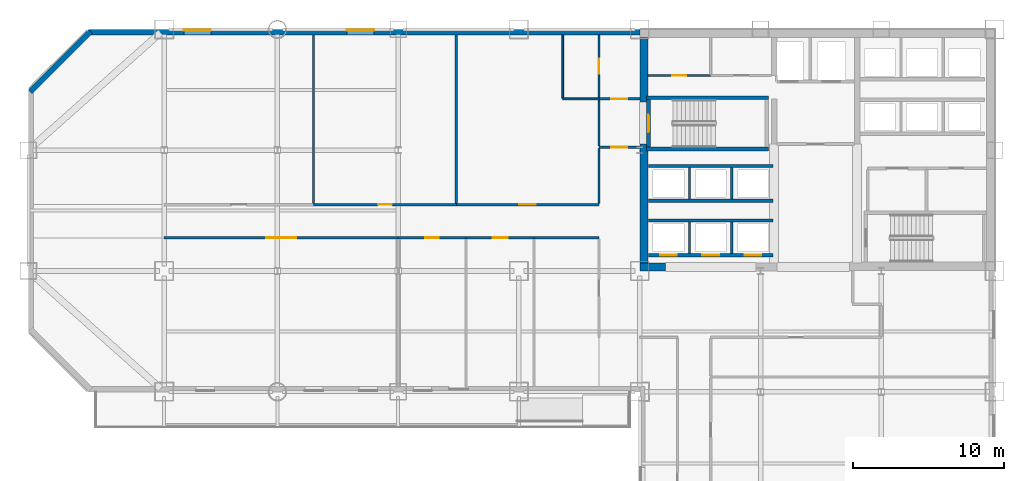
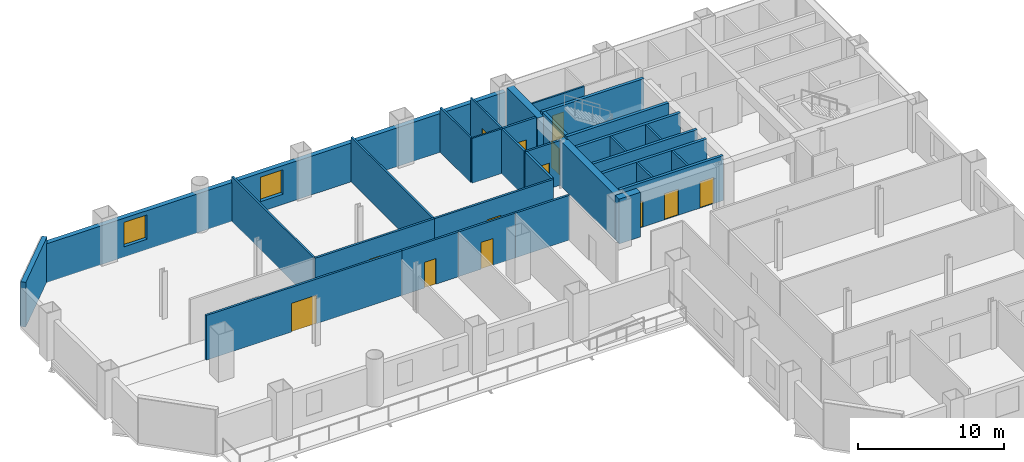
# One storey, part 6 of 9: 32 walls, 13 doors, 2 windows, 15 openings.
"""IFC4 building model written with IfcOpenShell, lengths in metres."""

from ifc_helpers import new_model, si_unit, direction, frame, frame_2d, origin, place, context, subcontext, project, spatial, rectangle, extrude, material, layer, layer_set, type_object, element, fill, save


model = new_model("IFC4")

# Units and contexts
model_context = context("Model", 3, precision=1e-05, world=origin(), true_north=direction((0.0, 1.0)))
body_context = subcontext(model_context, "Body", "Model", "MODEL_VIEW")
ifc_project = project(units=[si_unit("LENGTHUNIT", "METRE"), si_unit("AREAUNIT", "SQUARE_METRE"), si_unit("VOLUMEUNIT", "CUBIC_METRE"), si_unit("PLANEANGLEUNIT", "RADIAN"), si_unit("MASSUNIT", "GRAM", prefix="KILO")], contexts=[model_context])

# Site, building, storey
site_placement = place(None, origin())
site = spatial("IfcSite", under=ifc_project, at=site_placement, CompositionType="ELEMENT")
building_placement = place(site_placement, origin())
building = spatial("IfcBuilding", under=site, at=building_placement, Name="Qianrong Seaharbour Tower", CompositionType="ELEMENT")
storey_placement = place(building_placement, frame((0.0, 0.0, 100.199951171875)))
storey = spatial("IfcBuildingStorey", under=building, at=storey_placement, Name="L24", CompositionType="ELEMENT", Elevation=100.199951171875)

# Walls
ifc_material_1 = material(Name="Concrete C70/85", Category="concrete")
ifc_layer_1 = layer(ifc_material_1, 0.5400390625)
ifc_layer_set_1 = layer_set([ifc_layer_1], Name="Concrete C70/85")
wall_type_1 = type_object("IfcWallType", Name="WALL-CORE-540", PredefinedType="SHEAR", material=ifc_layer_set_1)
wall_1_placement = place(storey_placement, frame((40.77001953125, 36.5400390625, 0.0), z_axis=(0.0, 0.0, 1.0), x_axis=(0.0, 1.0, 0.0)))
element("IfcWall", 1, at=wall_1_placement, inside=storey, type_object=wall_type_1, Name="L24 West Core Shear Wall South", PredefinedType="SHEAR", context=body_context, shape_type="SweptSolid", body=[
    extrude(rectangle(XDim=7.85986328125, YDim=0.5400390625, at=frame_2d((3.929931640625, 0.0))), origin(), (0.0, 0.0, 1.0), 3.75),
])
wall_2_placement = place(storey_placement, frame((40.77001953125, 47.199951171875, 0.0), z_axis=(0.0, 0.0, 1.0), x_axis=(0.0, 1.0, 0.0)))
element("IfcWall", 2, at=wall_2_placement, inside=storey, type_object=wall_type_1, Name="L24 West Core Shear Wall North", PredefinedType="SHEAR", context=body_context, shape_type="SweptSolid", body=[
    extrude(rectangle(XDim=4.260009765625, YDim=0.5400390625, at=frame_2d((2.1298828125, 0.0))), origin(), (0.0, 0.0, 1.0), 3.75),
])
wall_3_placement = place(storey_placement, frame((40.5, 36.27001953125, 0.0), z_axis=(0.0, 0.0, 1.0), x_axis=(1.0, 0.0, 0.0)))
element("IfcWall", 3, at=wall_3_placement, inside=storey, type_object=wall_type_1, Name="L24 South Core Shear Wall S1", PredefinedType="SHEAR", context=body_context, shape_type="SweptSolid", body=[
    extrude(rectangle(XDim=1.699951171875, YDim=0.5400390625, at=frame_2d((0.85009765625, 0.0))), origin(), (0.0, 0.0, 1.0), 3.75),
])

# Wall, opening, door
ifc_material_2 = material(Name="Fire-rated acoustic gypsum board partition")
ifc_layer_2 = layer(ifc_material_2, 0.1650390625)
ifc_layer_set_2 = layer_set([ifc_layer_2], Name="Fire-rated acoustic gypsum board partition")
wall_type_2 = type_object("IfcWallType", Name="WALL-CORR-PART-165", PredefinedType="PARTITIONING", material=ifc_layer_set_2)
wall_4_placement = place(storey_placement, frame((37.800048828125, 47.39990234375, 0.0), z_axis=(0.0, 0.0, 1.0), x_axis=(1.0, 0.0, 0.0)))
wall_4 = element("IfcWall", 4, at=wall_4_placement, inside=storey, type_object=wall_type_2, Name="L24 Interior Partition Wall 001", PredefinedType="PARTITIONING", context=body_context, shape_type="SweptSolid", body=[
    extrude(rectangle(XDim=2.699951171875, YDim=0.1650390625, at=frame_2d((1.35009765625, 0.0))), origin(), (0.0, 0.0, 1.0), 3.75),
])
opening_1_placement = place(wall_4_placement, frame((0.824951171875, 0.0, 0.0)))
opening_1 = element("IfcOpeningElement", 5, at=opening_1_placement, cuts=wall_4, Name="Opening DC-01", PredefinedType="OPENING", context=body_context, shape_type="SweptSolid", body=[
    extrude(rectangle(XDim=1.050048828125, YDim=2.14990234375, at=frame_2d((0.52490234375, 1.074951171875))), frame((0.0, 0.092529296875, 0.0), z_axis=(0.0, -1.0, 0.0), x_axis=(1.0, 0.0, 0.0)), (0.0, 0.0, 1.0), 0.18505859375),
])
ifc_material_3 = material(Name="Acoustic timber and galvanized steel fire door assembly", Category="steel")
door_type_1 = type_object("IfcDoorType", Name="DOOR-CORR-FD60-1050x2150", OperationType="NOTDEFINED", PredefinedType="DOOR", material=ifc_material_3)
door_1_placement = place(opening_1_placement, origin())
door_1 = element("IfcDoor", 6, at=door_1_placement, inside=storey, type_object=door_type_1, Name="L24 Smokeproof Stair Vestibule ST-1 Door", OperationType="SINGLE_SWING_RIGHT", OverallHeight=2.14990234375, OverallWidth=1.050048828125, PredefinedType="DOOR", context=body_context, shape_type="SweptSolid", body=[
    extrude(rectangle(XDim=1.050048828125, YDim=2.14990234375, at=frame_2d((0.52490234375, 1.074951171875))), frame((0.0, 0.02490234375, 0.0), z_axis=(0.0, -1.0, 0.0), x_axis=(1.0, 0.0, 0.0)), (0.0, 0.0, 1.0), 0.050048828125),
])
fill(opening_1, door_1)

wall_5_placement = place(storey_placement, frame((40.5, 44.199951171875, 0.0), z_axis=(0.0, 0.0, 1.0), x_axis=(-1.0, 0.0, 0.0)))
wall_5 = element("IfcWall", 7, at=wall_5_placement, inside=storey, type_object=wall_type_2, Name="L24 Interior Partition Wall 002", PredefinedType="PARTITIONING", context=body_context, shape_type="SweptSolid", body=[
    extrude(rectangle(XDim=2.699951171875, YDim=0.1650390625, at=frame_2d((1.35009765625, 0.0))), origin(), (0.0, 0.0, 1.0), 3.75),
])
opening_2_placement = place(wall_5_placement, frame((0.824951171875, 0.0, 0.0)))
opening_2 = element("IfcOpeningElement", 8, at=opening_2_placement, cuts=wall_5, Name="Opening DC-01", PredefinedType="OPENING", context=body_context, shape_type="SweptSolid", body=[
    extrude(rectangle(XDim=1.050048828125, YDim=2.14990234375, at=frame_2d((0.52490234375, 1.074951171875))), frame((0.0, 0.092529296875, 0.0), z_axis=(0.0, -1.0, 0.0), x_axis=(1.0, 0.0, 0.0)), (0.0, 0.0, 1.0), 0.18505859375),
])
door_2_placement = place(opening_2_placement, origin())
door_2 = element("IfcDoor", 9, at=door_2_placement, inside=storey, type_object=door_type_1, Name="L24 Smokeproof Stair Vestibule ST-1 Door", OperationType="SINGLE_SWING_LEFT", OverallHeight=2.14990234375, OverallWidth=1.050048828125, PredefinedType="DOOR", context=body_context, shape_type="SweptSolid", body=[
    extrude(rectangle(XDim=1.050048828125, YDim=2.14990234375, at=frame_2d((0.52490234375, 1.074951171875))), frame((0.0, 0.02490234375, 0.0), z_axis=(0.0, -1.0, 0.0), x_axis=(1.0, 0.0, 0.0)), (0.0, 0.0, 1.0), 0.050048828125),
])
fill(opening_2, door_2)

# Wall
wall_6_placement = place(storey_placement, frame((37.800048828125, 44.2744140625, 0.0), z_axis=(0.0, 0.0, 1.0), x_axis=(0.0, 1.0, 0.0)))
element("IfcWall", 10, at=wall_6_placement, inside=storey, type_object=wall_type_2, Name="L24 Interior Partition Wall 003", PredefinedType="PARTITIONING", context=body_context, shape_type="SweptSolid", body=[
    extrude(rectangle(XDim=3.051025390625, YDim=0.1650390625, at=frame_2d((1.525390625, 0.0))), origin(), (0.0, 0.0, 1.0), 3.75),
])

# Wall, opening, door
wall_7_placement = place(storey_placement, frame((18.89990234375, 40.39990234375, 0.0), z_axis=(0.0, 0.0, 1.0), x_axis=(1.0, 0.0, 0.0)))
wall_7 = element("IfcWall", 11, at=wall_7_placement, inside=storey, type_object=wall_type_2, Name="L24 Interior Partition Wall 016", PredefinedType="PARTITIONING", context=body_context, shape_type="SweptSolid", body=[
    extrude(rectangle(XDim=9.4501953125, YDim=0.1650390625, at=frame_2d((4.72509765625, 0.0))), origin(), (0.0, 0.0, 1.0), 3.75),
])
opening_3_placement = place(wall_7_placement, frame((4.27490234375, 0.0, 0.0)))
opening_3 = element("IfcOpeningElement", 12, at=opening_3_placement, cuts=wall_7, Name="Opening DS-01", PredefinedType="OPENING", context=body_context, shape_type="SweptSolid", body=[
    extrude(rectangle(XDim=0.89990234375, YDim=2.14990234375, at=frame_2d((0.449951171875, 1.074951171875))), frame((0.0, 0.092529296875, 0.0), z_axis=(0.0, -1.0, 0.0), x_axis=(1.0, 0.0, 0.0)), (0.0, 0.0, 1.0), 0.18505859375),
])
door_type_2 = type_object("IfcDoorType", Name="DOOR-STORE-900x2150", OperationType="NOTDEFINED", PredefinedType="DOOR", material=ifc_material_3)
door_3_placement = place(opening_3_placement, origin())
door_3 = element("IfcDoor", 13, at=door_3_placement, inside=storey, type_object=door_type_2, Name="L24 Corporate Archive Room 1 Door", OperationType="SINGLE_SWING_RIGHT", OverallHeight=2.14990234375, OverallWidth=0.89990234375, PredefinedType="DOOR", context=body_context, shape_type="SweptSolid", body=[
    extrude(rectangle(XDim=0.89990234375, YDim=2.14990234375, at=frame_2d((0.449951171875, 1.074951171875))), frame((0.0, 0.02490234375, 0.0), z_axis=(0.0, -1.0, 0.0), x_axis=(1.0, 0.0, 0.0)), (0.0, 0.0, 1.0), 0.050048828125),
])
fill(opening_3, door_3)

wall_8_placement = place(storey_placement, frame((28.35009765625, 40.39990234375, 0.0), z_axis=(0.0, 0.0, 1.0), x_axis=(1.0, 0.0, 0.0)))
wall_8 = element("IfcWall", 14, at=wall_8_placement, inside=storey, type_object=wall_type_2, Name="L24 Interior Partition Wall 017", PredefinedType="PARTITIONING", context=body_context, shape_type="SweptSolid", body=[
    extrude(rectangle(XDim=9.449951171875, YDim=0.1650390625, at=frame_2d((4.72509765625, 0.0))), origin(), (0.0, 0.0, 1.0), 3.75),
])
opening_4_placement = place(wall_8_placement, frame((4.175048828125, 0.0, 0.0)))
opening_4 = element("IfcOpeningElement", 15, at=opening_4_placement, cuts=wall_8, Name="Opening DM-01", PredefinedType="OPENING", context=body_context, shape_type="SweptSolid", body=[
    extrude(rectangle(XDim=1.10009765625, YDim=2.199951171875, at=frame_2d((0.550048828125, 1.10009765625))), frame((0.0, 0.092529296875, 0.0), z_axis=(0.0, -1.0, 0.0), x_axis=(1.0, 0.0, 0.0)), (0.0, 0.0, 1.0), 0.18505859375),
])
door_type_3 = type_object("IfcDoorType", Name="DOOR-MEET-1100x2200", OperationType="NOTDEFINED", PredefinedType="DOOR", material=ifc_material_3)
door_4_placement = place(opening_4_placement, origin())
door_4 = element("IfcDoor", 16, at=door_4_placement, inside=storey, type_object=door_type_3, Name="L24 Boardroom 2 Door", OperationType="SINGLE_SWING_LEFT", OverallHeight=2.199951171875, OverallWidth=1.10009765625, PredefinedType="DOOR", context=body_context, shape_type="SweptSolid", body=[
    extrude(rectangle(XDim=1.10009765625, YDim=2.199951171875, at=frame_2d((0.550048828125, 1.10009765625))), frame((0.0, 0.02490234375, 0.0), z_axis=(0.0, -1.0, 0.0), x_axis=(1.0, 0.0, 0.0)), (0.0, 0.0, 1.0), 0.050048828125),
])
fill(opening_4, door_4)

wall_9_placement = place(storey_placement, frame((24.5, 38.199951171875, 0.0), z_axis=(0.0, 0.0, 1.0), x_axis=(-1.0, 0.0, 0.0)))
wall_9 = element("IfcWall", 17, at=wall_9_placement, inside=storey, type_object=wall_type_2, Name="L24 Interior Partition Wall 018", PredefinedType="PARTITIONING", context=body_context, shape_type="SweptSolid", body=[
    extrude(rectangle(XDim=15.5, YDim=0.1650390625, at=frame_2d((7.75, 0.0))), origin(), (0.0, 0.0, 1.0), 3.75),
])
opening_5_placement = place(wall_9_placement, frame((6.75, 0.0, 0.0)))
opening_5 = element("IfcOpeningElement", 18, at=opening_5_placement, cuts=wall_9, Name="Opening DA-01", PredefinedType="OPENING", context=body_context, shape_type="SweptSolid", body=[
    extrude(rectangle(XDim=2.0, YDim=2.39990234375, at=frame_2d((1.0, 1.199951171875))), frame((0.0, 0.092529296875, 0.0), z_axis=(0.0, -1.0, 0.0), x_axis=(1.0, 0.0, 0.0)), (0.0, 0.0, 1.0), 0.18505859375),
])
door_type_4 = type_object("IfcDoorType", Name="DOOR-AUD-PAIR-2000x2400", OperationType="DOUBLE_DOOR_SINGLE_SWING", PredefinedType="DOOR", material=ifc_material_3)
door_5_placement = place(opening_5_placement, origin())
door_5 = element("IfcDoor", 19, at=door_5_placement, inside=storey, type_object=door_type_4, Name="L24 Maritime Tribunal Hearing Hall Door", OperationType="DOUBLE_DOOR_SINGLE_SWING", OverallHeight=2.39990234375, OverallWidth=2.0, PredefinedType="DOOR", context=body_context, shape_type="SweptSolid", body=[
    extrude(rectangle(XDim=2.0, YDim=2.39990234375, at=frame_2d((1.0, 1.199951171875))), frame((0.0, 0.02490234375, 0.0), z_axis=(0.0, -1.0, 0.0), x_axis=(1.0, 0.0, 0.0)), (0.0, 0.0, 1.0), 0.050048828125),
])
fill(opening_5, door_5)

wall_10_placement = place(storey_placement, frame((29.0, 38.199951171875, 0.0), z_axis=(0.0, 0.0, 1.0), x_axis=(-1.0, 0.0, 0.0)))
wall_10 = element("IfcWall", 20, at=wall_10_placement, inside=storey, type_object=wall_type_2, Name="L24 Interior Partition Wall 019", PredefinedType="PARTITIONING", context=body_context, shape_type="SweptSolid", body=[
    extrude(rectangle(XDim=4.5, YDim=0.1650390625, at=frame_2d((2.25, 0.0))), origin(), (0.0, 0.0, 1.0), 3.75),
])
opening_6_placement = place(wall_10_placement, frame((1.800048828125, 0.0, 0.0)))
opening_6 = element("IfcOpeningElement", 21, at=opening_6_placement, cuts=wall_10, Name="Opening DS-01", PredefinedType="OPENING", context=body_context, shape_type="SweptSolid", body=[
    extrude(rectangle(XDim=0.89990234375, YDim=2.14990234375, at=frame_2d((0.449951171875, 1.074951171875))), frame((0.0, 0.092529296875, 0.0), z_axis=(0.0, -1.0, 0.0), x_axis=(1.0, 0.0, 0.0)), (0.0, 0.0, 1.0), 0.18505859375),
])
door_6_placement = place(opening_6_placement, origin())
door_6 = element("IfcDoor", 22, at=door_6_placement, inside=storey, type_object=door_type_2, Name="L24 Evidence Vault Store 1 Door", OperationType="SINGLE_SWING_RIGHT", OverallHeight=2.14990234375, OverallWidth=0.89990234375, PredefinedType="DOOR", context=body_context, shape_type="SweptSolid", body=[
    extrude(rectangle(XDim=0.89990234375, YDim=2.14990234375, at=frame_2d((0.449951171875, 1.074951171875))), frame((0.0, 0.02490234375, 0.0), z_axis=(0.0, -1.0, 0.0), x_axis=(1.0, 0.0, 0.0)), (0.0, 0.0, 1.0), 0.050048828125),
])
fill(opening_6, door_6)

wall_11_placement = place(storey_placement, frame((33.5, 38.199951171875, 0.0), z_axis=(0.0, 0.0, 1.0), x_axis=(-1.0, 0.0, 0.0)))
wall_11 = element("IfcWall", 23, at=wall_11_placement, inside=storey, type_object=wall_type_2, Name="L24 Interior Partition Wall 020", PredefinedType="PARTITIONING", context=body_context, shape_type="SweptSolid", body=[
    extrude(rectangle(XDim=4.5, YDim=0.1650390625, at=frame_2d((2.25, 0.0))), origin(), (0.0, 0.0, 1.0), 3.75),
])
opening_7_placement = place(wall_11_placement, frame((1.760009765625, 0.0, 0.0)))
opening_7 = element("IfcOpeningElement", 24, at=opening_7_placement, cuts=wall_11, Name="Opening DE-01", PredefinedType="OPENING", context=body_context, shape_type="SweptSolid", body=[
    extrude(rectangle(XDim=0.97998046875, YDim=2.25, at=frame_2d((0.489990234375, 1.125))), frame((0.0, 0.092529296875, 0.0), z_axis=(0.0, -1.0, 0.0), x_axis=(1.0, 0.0, 0.0)), (0.0, 0.0, 1.0), 0.18505859375),
])
door_type_5 = type_object("IfcDoorType", Name="DOOR-EXEC-980x2250", OperationType="NOTDEFINED", PredefinedType="DOOR", material=ifc_material_3)
door_7_placement = place(opening_7_placement, origin())
door_7 = element("IfcDoor", 25, at=door_7_placement, inside=storey, type_object=door_type_5, Name="L24 Partner Chambers Office 2 Door", OperationType="SINGLE_SWING_LEFT", OverallHeight=2.25, OverallWidth=0.97998046875, PredefinedType="DOOR", context=body_context, shape_type="SweptSolid", body=[
    extrude(rectangle(XDim=0.97998046875, YDim=2.25, at=frame_2d((0.489990234375, 1.125))), frame((0.0, 0.02490234375, 0.0), z_axis=(0.0, -1.0, 0.0), x_axis=(1.0, 0.0, 0.0)), (0.0, 0.0, 1.0), 0.050048828125),
])
fill(opening_7, door_7)

# Walls
wall_12_placement = place(storey_placement, frame((37.800048828125, 38.199951171875, 0.0), z_axis=(0.0, 0.0, 1.0), x_axis=(-1.0, 0.0, 0.0)))
element("IfcWall", 26, at=wall_12_placement, inside=storey, type_object=wall_type_2, Name="L24 Interior Partition Wall 021", PredefinedType="PARTITIONING", context=body_context, shape_type="SweptSolid", body=[
    extrude(rectangle(XDim=4.300048828125, YDim=0.1650390625, at=frame_2d((2.14990234375, 0.0))), origin(), (0.0, 0.0, 1.0), 3.75),
])
wall_13_placement = place(storey_placement, frame((37.800048828125, 40.474609375, 0.0), z_axis=(0.0, 0.0, 1.0), x_axis=(0.0, 1.0, 0.0)))
element("IfcWall", 27, at=wall_13_placement, inside=storey, type_object=wall_type_2, Name="L24 Interior Partition Wall 022", PredefinedType="PARTITIONING", context=body_context, shape_type="SweptSolid", body=[
    extrude(rectangle(XDim=3.65087890625, YDim=0.1650390625, at=frame_2d((1.825439453125, 0.0))), origin(), (0.0, 0.0, 1.0), 3.75),
])
ifc_material_4 = material(Name="Unitised red brick on Precast concrete C45/55", Category="masonry")
ifc_layer_3 = layer(ifc_material_4, 0.360107421875)
ifc_layer_set_3 = layer_set([ifc_layer_3], Name="Unitised red brick on Precast concrete C45/55")
wall_type_3 = type_object("IfcWallType", Name="WALL-EXT-BRICK-RED-360", PredefinedType="SOLIDWALL", material=ifc_layer_set_3)
wall_14_placement = place(storey_placement, frame((0.127197265625, 47.872802734375, 0.0), z_axis=(0.0, 0.0, 1.0), x_axis=(0.707106781187, 0.707106781187, 0.0)))
element("IfcWall", 28, at=wall_14_placement, inside=storey, type_object=wall_type_3, Name="L24 Exterior Masonry Facade Wall E04", PredefinedType="SOLIDWALL", context=body_context, shape_type="SweptSolid", body=[
    extrude(rectangle(XDim=5.65673828125, YDim=0.360107421875, at=frame_2d((2.828369140625, 0.0))), origin(), (0.0, 0.0, 1.0), 3.75),
])

# Wall, openings, windows
wall_15_placement = place(storey_placement, frame((4.0, 51.820068359375, 0.0), z_axis=(0.0, 0.0, 1.0), x_axis=(1.0, 0.0, 0.0)))
wall_15 = element("IfcWall", 29, at=wall_15_placement, inside=storey, type_object=wall_type_3, Name="L24 Exterior Masonry Facade Wall NORTH_WING", PredefinedType="SOLIDWALL", context=body_context, shape_type="SweptSolid", body=[
    extrude(rectangle(XDim=36.52001953125, YDim=0.360107421875, at=frame_2d((18.260009765625, 0.0))), origin(), (0.0, 0.0, 1.0), 3.25),
])
opening_8_placement = place(wall_15_placement, frame((6.300048828125, 0.0, 0.85009765625)))
opening_8 = element("IfcOpeningElement", 30, at=opening_8_placement, cuts=wall_15, Name="Opening WN-05", PredefinedType="OPENING", context=body_context, shape_type="SweptSolid", body=[
    extrude(rectangle(XDim=1.800048828125, YDim=2.050048828125, at=frame_2d((0.89990234375, 1.02490234375))), frame((0.0, 0.18994140625, 0.0), z_axis=(0.0, -1.0, 0.0), x_axis=(1.0, 0.0, 0.0)), (0.0, 0.0, 1.0), 0.380126953125),
])
opening_9_placement = place(wall_15_placement, frame((17.10009765625, 0.0, 0.85009765625)))
opening_9 = element("IfcOpeningElement", 31, at=opening_9_placement, cuts=wall_15, Name="Opening WN-05", PredefinedType="OPENING", context=body_context, shape_type="SweptSolid", body=[
    extrude(rectangle(XDim=1.800048828125, YDim=2.050048828125, at=frame_2d((0.89990234375, 1.02490234375))), frame((0.0, 0.18994140625, 0.0), z_axis=(0.0, -1.0, 0.0), x_axis=(1.0, 0.0, 0.0)), (0.0, 0.0, 1.0), 0.380126953125),
])
ifc_material_5 = material(Name="Insulated low-e double glazing in thermally broken aluminium 6063-T6 frame", Category="aluminium")
window_type = type_object("IfcWindowType", Name="WIN-PUNCH-1800x2050", PartitioningType="TRIPLE_PANEL_VERTICAL", PredefinedType="WINDOW", material=ifc_material_5)
window_1_placement = place(opening_8_placement, origin())
window_1 = element("IfcWindow", 32, at=window_1_placement, inside=storey, type_object=window_type, Name="L24 Deep-Set Punched Window 05.02", OverallHeight=2.050048828125, OverallWidth=1.800048828125, PartitioningType="TRIPLE_PANEL_VERTICAL", PredefinedType="WINDOW", context=body_context, shape_type="SweptSolid", body=[
    extrude(rectangle(XDim=1.800048828125, YDim=2.050048828125, at=frame_2d((0.89990234375, 1.02490234375))), frame((0.0, 0.150146484375, 0.0), z_axis=(0.0, -1.0, 0.0), x_axis=(1.0, 0.0, 0.0)), (0.0, 0.0, 1.0), 0.06005859375),
])
fill(opening_8, window_1)
window_2_placement = place(opening_9_placement, origin())
window_2 = element("IfcWindow", 33, at=window_2_placement, inside=storey, type_object=window_type, Name="L24 Deep-Set Punched Window 05.05", OverallHeight=2.050048828125, OverallWidth=1.800048828125, PartitioningType="TRIPLE_PANEL_VERTICAL", PredefinedType="WINDOW", context=body_context, shape_type="SweptSolid", body=[
    extrude(rectangle(XDim=1.800048828125, YDim=2.050048828125, at=frame_2d((0.89990234375, 1.02490234375))), frame((0.0, 0.150146484375, 0.0), z_axis=(0.0, -1.0, 0.0), x_axis=(1.0, 0.0, 0.0)), (0.0, 0.0, 1.0), 0.06005859375),
])
fill(opening_9, window_2)

# Walls
ifc_material_6 = material(Name="Acoustic gypsum board stud partition")
ifc_layer_4 = layer(ifc_material_6, 0.14501953125)
ifc_layer_set_4 = layer_set([ifc_layer_4], Name="Acoustic gypsum board stud partition")
wall_type_4 = type_object("IfcWallType", Name="WALL-OFFICE-PART-145", PredefinedType="PARTITIONING", material=ifc_layer_set_4)
for number, where, z_axis, x_axis, name in (
    (34, (18.89990234375, 51.64794921875, 0.0), (0.0, 0.0, 1.0), (0.0, -1.0, 0.0), "L24 Interior Partition Wall 038"),
    (35, (28.35009765625, 51.64794921875, 0.0), (0.0, 0.0, 1.0), (0.0, -1.0, 0.0), "L24 Interior Partition Wall 039"),
):
    element("IfcWall", number, at=place(storey_placement, frame(where, z_axis=z_axis, x_axis=x_axis)), inside=storey, type_object=wall_type_4, Name=name, PredefinedType="PARTITIONING", context=body_context, shape_type="SweptSolid", body=[
        extrude(rectangle(XDim=11.17333984375, YDim=0.14501953125, at=frame_2d((5.586669921875, 0.0))), origin(), (0.0, 0.0, 1.0), 3.75),
    ])
ifc_material_7 = material(Name="Fire-rated gypsum board on steel studs", Category="steel")
ifc_layer_5 = layer(ifc_material_7, 0.14990234375)
ifc_layer_set_5 = layer_set([ifc_layer_5], Name="Fire-rated gypsum board on steel studs")
wall_type_5 = type_object("IfcWallType", Name="WALL-SHAFT-DIV-150", PredefinedType="PARTITIONING", material=ifc_layer_set_5)
for number, where, z_axis, x_axis, name in (
    (36, (43.800048828125, 37.159912109375, 0.0), (0.0, 0.0, 1.0), (0.0, 1.0, 0.0), "L24 P1 Lift Hoistway Divider 2"),
    (37, (46.60009765625, 37.159912109375, 0.0), (0.0, 0.0, 1.0), (0.0, 1.0, 0.0), "L24 P1 Lift Hoistway Divider 3"),
    (38, (43.800048828125, 40.760009765625, 0.0), (0.0, 0.0, 1.0), (0.0, 1.0, 0.0), "L24 P2 Lift Hoistway Divider 2"),
    (39, (46.60009765625, 40.760009765625, 0.0), (0.0, 0.0, 1.0), (0.0, 1.0, 0.0), "L24 P2 Lift Hoistway Divider 3"),
):
    element("IfcWall", number, at=place(storey_placement, frame(where, z_axis=z_axis, x_axis=x_axis)), inside=storey, type_object=wall_type_5, Name=name, PredefinedType="PARTITIONING", context=body_context, shape_type="SweptSolid", body=[
        extrude(rectangle(XDim=2.080078125, YDim=0.14990234375, at=frame_2d((1.0400390625, 0.0))), origin(), (0.0, 0.0, 1.0), 3.75),
    ])

# Wall, openings, doors
ifc_layer_6 = layer(ifc_material_7, 0.219970703125)
ifc_layer_set_6 = layer_set([ifc_layer_6], Name="Fire-rated gypsum board on steel studs")
wall_type_6 = type_object("IfcWallType", Name="WALL-SHAFT-GYP220", PredefinedType="PARTITIONING", material=ifc_layer_set_6)
wall_16_placement = place(storey_placement, frame((49.320068359375, 37.050048828125, 0.0), z_axis=(0.0, 0.0, 1.0), x_axis=(-1.0, 0.0, 0.0)))
wall_16 = element("IfcWall", 40, at=wall_16_placement, inside=storey, type_object=wall_type_6, Name="L24 P1 Lift Hoistway Front Wall", PredefinedType="PARTITIONING", context=body_context, shape_type="SweptSolid", body=[
    extrude(rectangle(XDim=8.239990234375, YDim=0.219970703125, at=frame_2d((4.1201171875, 0.0))), origin(), (0.0, 0.0, 1.0), 3.75),
])
opening_10_placement = place(wall_16_placement, frame((6.3701171875, 0.0, 0.0)))
opening_10 = element("IfcOpeningElement", 41, at=opening_10_placement, cuts=wall_16, Name="Opening LD-02", PredefinedType="OPENING", context=body_context, shape_type="SweptSolid", body=[
    extrude(rectangle(XDim=1.10009765625, YDim=2.199951171875, at=frame_2d((0.550048828125, 1.10009765625))), frame((0.0, 0.1201171875, 0.0), z_axis=(0.0, -1.0, 0.0), x_axis=(1.0, 0.0, 0.0)), (0.0, 0.0, 1.0), 0.239990234375),
])
opening_11_placement = place(wall_16_placement, frame((3.570068359375, 0.0, 0.0)))
opening_11 = element("IfcOpeningElement", 42, at=opening_11_placement, cuts=wall_16, Name="Opening LD-02", PredefinedType="OPENING", context=body_context, shape_type="SweptSolid", body=[
    extrude(rectangle(XDim=1.10009765625, YDim=2.199951171875, at=frame_2d((0.550048828125, 1.10009765625))), frame((0.0, 0.1201171875, 0.0), z_axis=(0.0, -1.0, 0.0), x_axis=(1.0, 0.0, 0.0)), (0.0, 0.0, 1.0), 0.239990234375),
])
opening_12_placement = place(wall_16_placement, frame((0.77001953125, 0.0, 0.0)))
opening_12 = element("IfcOpeningElement", 43, at=opening_12_placement, cuts=wall_16, Name="Opening LD-02", PredefinedType="OPENING", context=body_context, shape_type="SweptSolid", body=[
    extrude(rectangle(XDim=1.10009765625, YDim=2.199951171875, at=frame_2d((0.550048828125, 1.10009765625))), frame((0.0, 0.1201171875, 0.0), z_axis=(0.0, -1.0, 0.0), x_axis=(1.0, 0.0, 0.0)), (0.0, 0.0, 1.0), 0.239990234375),
])
ifc_material_8 = material(Name="Stainless steel SUS316L bi-parting lift landing door", Category="steel")
door_type_6 = type_object("IfcDoorType", Name="DOOR-LIFT-PASS-1100x2200", OperationType="DOUBLE_DOOR_SLIDING", PredefinedType="DOOR", material=ifc_material_8)
door_8_placement = place(opening_10_placement, origin())
door_8 = element("IfcDoor", 44, at=door_8_placement, inside=storey, type_object=door_type_6, Name="L24 PL-1A Lift Landing Door", OperationType="DOUBLE_DOOR_SLIDING", OverallHeight=2.199951171875, OverallWidth=1.10009765625, PredefinedType="DOOR", context=body_context, shape_type="SweptSolid", body=[
    extrude(rectangle(XDim=1.10009765625, YDim=2.199951171875, at=frame_2d((0.550048828125, 1.10009765625))), frame((0.0, 0.02490234375, 0.0), z_axis=(0.0, -1.0, 0.0), x_axis=(1.0, 0.0, 0.0)), (0.0, 0.0, 1.0), 0.050048828125),
])
fill(opening_10, door_8)
door_9_placement = place(opening_11_placement, origin())
door_9 = element("IfcDoor", 45, at=door_9_placement, inside=storey, type_object=door_type_6, Name="L24 PL-1B Lift Landing Door", OperationType="DOUBLE_DOOR_SLIDING", OverallHeight=2.199951171875, OverallWidth=1.10009765625, PredefinedType="DOOR", context=body_context, shape_type="SweptSolid", body=[
    extrude(rectangle(XDim=1.10009765625, YDim=2.199951171875, at=frame_2d((0.550048828125, 1.10009765625))), frame((0.0, 0.02490234375, 0.0), z_axis=(0.0, -1.0, 0.0), x_axis=(1.0, 0.0, 0.0)), (0.0, 0.0, 1.0), 0.050048828125),
])
fill(opening_11, door_9)
door_10_placement = place(opening_12_placement, origin())
door_10 = element("IfcDoor", 46, at=door_10_placement, inside=storey, type_object=door_type_6, Name="L24 PL-1C Lift Landing Door", OperationType="DOUBLE_DOOR_SLIDING", OverallHeight=2.199951171875, OverallWidth=1.10009765625, PredefinedType="DOOR", context=body_context, shape_type="SweptSolid", body=[
    extrude(rectangle(XDim=1.10009765625, YDim=2.199951171875, at=frame_2d((0.550048828125, 1.10009765625))), frame((0.0, 0.02490234375, 0.0), z_axis=(0.0, -1.0, 0.0), x_axis=(1.0, 0.0, 0.0)), (0.0, 0.0, 1.0), 0.050048828125),
])
fill(opening_12, door_10)

# Walls
for number, where, z_axis, x_axis, name in (
    (47, (41.080078125, 39.35009765625, 0.0), (0.0, 0.0, 1.0), (1.0, 0.0, 0.0), "L24 P1 Lift Hoistway Back Wall"),
    (48, (49.320068359375, 40.64990234375, 0.0), (0.0, 0.0, 1.0), (-1.0, 0.0, 0.0), "L24 P2 Lift Hoistway Front Wall"),
    (49, (41.080078125, 42.949951171875, 0.0), (0.0, 0.0, 1.0), (1.0, 0.0, 0.0), "L24 P2 Lift Hoistway Back Wall"),
):
    element("IfcWall", number, at=place(storey_placement, frame(where, z_axis=z_axis, x_axis=x_axis)), inside=storey, type_object=wall_type_6, Name=name, PredefinedType="PARTITIONING", context=body_context, shape_type="SweptSolid", body=[
        extrude(rectangle(XDim=8.239990234375, YDim=0.219970703125, at=frame_2d((4.1201171875, 0.0))), origin(), (0.0, 0.0, 1.0), 3.75),
    ])
ifc_material_9 = material(Name="Concrete C50/60", Category="concrete")
ifc_layer_7 = layer(ifc_material_9, 0.239990234375)
ifc_layer_set_7 = layer_set([ifc_layer_7], Name="Concrete C50/60")
wall_type_7 = type_object("IfcWallType", Name="WALL-SHAFT-RC240", PredefinedType="SOLIDWALL", material=ifc_layer_set_7)
for number, where, z_axis, x_axis, name in (
    (50, (40.9599609375, 47.469970703125, 0.0), (0.0, 0.0, 1.0), (1.0, 0.0, 0.0), "L24 ST-1 Structural Stair Core Wall N"),
    (51, (49.0400390625, 44.080078125, 0.0), (0.0, 0.0, 1.0), (-1.0, 0.0, 0.0), "L24 ST-1 Structural Stair Core Wall S"),
):
    element("IfcWall", number, at=place(storey_placement, frame(where, z_axis=z_axis, x_axis=x_axis)), inside=storey, type_object=wall_type_7, Name=name, PredefinedType="SOLIDWALL", context=body_context, shape_type="SweptSolid", body=[
        extrude(rectangle(XDim=8.080078125, YDim=0.239990234375, at=frame_2d((4.0400390625, 0.0))), origin(), (0.0, 0.0, 1.0), 4.0),
    ])

# Wall, opening, door
wall_17_placement = place(storey_placement, frame((41.080078125, 47.35009765625, 0.0), z_axis=(0.0, 0.0, 1.0), x_axis=(0.0, -1.0, 0.0)))
wall_17 = element("IfcWall", 52, at=wall_17_placement, inside=storey, type_object=wall_type_7, Name="L24 ST-1 Structural Stair Core Wall W", PredefinedType="SOLIDWALL", context=body_context, shape_type="SweptSolid", body=[
    extrude(rectangle(XDim=3.150146484375, YDim=0.239990234375, at=frame_2d((1.5751953125, 0.0))), origin(), (0.0, 0.0, 1.0), 4.0),
])
opening_13_placement = place(wall_17_placement, frame((1.0, 0.0, 0.0)))
opening_13 = element("IfcOpeningElement", 53, at=opening_13_placement, cuts=wall_17, Name="Opening SD-01", PredefinedType="OPENING", context=body_context, shape_type="SweptSolid", body=[
    extrude(rectangle(XDim=1.14990234375, YDim=2.199951171875, at=frame_2d((0.574951171875, 1.10009765625))), frame((0.0, 0.1298828125, 0.0), z_axis=(0.0, -1.0, 0.0), x_axis=(1.0, 0.0, 0.0)), (0.0, 0.0, 1.0), 0.260009765625),
])
door_type_7 = type_object("IfcDoorType", Name="DOOR-STAIR-FD60-1150x2200", OperationType="NOTDEFINED", PredefinedType="DOOR", material=ifc_material_3)
door_11_placement = place(opening_13_placement, origin())
door_11 = element("IfcDoor", 54, at=door_11_placement, inside=storey, type_object=door_type_7, Name="L24 ST-1 Protected Stair Door", OperationType="SINGLE_SWING_LEFT", OverallHeight=2.199951171875, OverallWidth=1.14990234375, PredefinedType="DOOR", context=body_context, shape_type="SweptSolid", body=[
    extrude(rectangle(XDim=1.14990234375, YDim=2.199951171875, at=frame_2d((0.574951171875, 1.10009765625))), frame((0.0, 0.02490234375, 0.0), z_axis=(0.0, -1.0, 0.0), x_axis=(1.0, 0.0, 0.0)), (0.0, 0.0, 1.0), 0.050048828125),
])
fill(opening_13, door_11)

ifc_material_10 = material(Name="Water-resistant cement board sanitary partition")
ifc_layer_8 = layer(ifc_material_10, 0.1298828125)
ifc_layer_set_8 = layer_set([ifc_layer_8], Name="Water-resistant cement board sanitary partition")
wall_type_8 = type_object("IfcWallType", Name="WALL-WET-PART-130", PredefinedType="PARTITIONING", material=ifc_layer_set_8)
wall_18_placement = place(storey_placement, frame((37.800048828125, 47.474609375, 0.0), z_axis=(0.0, 0.0, 1.0), x_axis=(0.0, 1.0, 0.0)))
wall_18 = element("IfcWall", 55, at=wall_18_placement, inside=storey, type_object=wall_type_8, Name="L24 Interior Partition Wall 004", PredefinedType="PARTITIONING", context=body_context, shape_type="SweptSolid", body=[
    extrude(rectangle(XDim=4.17333984375, YDim=0.1298828125, at=frame_2d((2.086669921875, 0.0))), origin(), (0.0, 0.0, 1.0), 3.75),
])
opening_14_placement = place(wall_18_placement, frame((1.57666015625, 0.0, 0.0)))
opening_14 = element("IfcOpeningElement", 56, at=opening_14_placement, cuts=wall_18, Name="Opening DAW-01", PredefinedType="OPENING", context=body_context, shape_type="SweptSolid", body=[
    extrude(rectangle(XDim=1.02001953125, YDim=2.14990234375, at=frame_2d((0.510009765625, 1.074951171875))), frame((0.0, 0.074951171875, 0.0), z_axis=(0.0, -1.0, 0.0), x_axis=(1.0, 0.0, 0.0)), (0.0, 0.0, 1.0), 0.14990234375),
])
door_type_8 = type_object("IfcDoorType", Name="DOOR-AWC-SLIDE-1020x2150", OperationType="SLIDING_TO_LEFT", PredefinedType="DOOR", material=ifc_material_3)
door_12_placement = place(opening_14_placement, origin())
door_12 = element("IfcDoor", 57, at=door_12_placement, inside=storey, type_object=door_type_8, Name="L24 Accessible Restroom WC Door", OperationType="SLIDING_TO_LEFT", OverallHeight=2.14990234375, OverallWidth=1.02001953125, PredefinedType="DOOR", context=body_context, shape_type="SweptSolid", body=[
    extrude(rectangle(XDim=1.02001953125, YDim=2.14990234375, at=frame_2d((0.510009765625, 1.074951171875))), frame((0.0, 0.02490234375, 0.0), z_axis=(0.0, -1.0, 0.0), x_axis=(1.0, 0.0, 0.0)), (0.0, 0.0, 1.0), 0.050048828125),
])
fill(opening_14, door_12)

# Walls
wall_19_placement = place(storey_placement, frame((37.800048828125, 47.39990234375, 0.0), z_axis=(0.0, 0.0, 1.0), x_axis=(-1.0, 0.0, 0.0)))
element("IfcWall", 58, at=wall_19_placement, inside=storey, type_object=wall_type_8, Name="L24 Interior Partition Wall 005", PredefinedType="PARTITIONING", context=body_context, shape_type="SweptSolid", body=[
    extrude(rectangle(XDim=2.400146484375, YDim=0.1298828125, at=frame_2d((1.2001953125, 0.0))), origin(), (0.0, 0.0, 1.0), 3.75),
])
wall_20_placement = place(storey_placement, frame((35.39990234375, 47.45703125, 0.0), z_axis=(0.0, 0.0, 1.0), x_axis=(0.0, 1.0, 0.0)))
element("IfcWall", 59, at=wall_20_placement, inside=storey, type_object=wall_type_8, Name="L24 Interior Partition Wall 006", PredefinedType="PARTITIONING", context=body_context, shape_type="SweptSolid", body=[
    extrude(rectangle(XDim=4.19091796875, YDim=0.1298828125, at=frame_2d((2.095458984375, 0.0))), origin(), (0.0, 0.0, 1.0), 3.75),
])

# Wall, opening, door
wall_21_placement = place(storey_placement, frame((41.0400390625, 48.949951171875, 0.0), z_axis=(0.0, 0.0, 1.0), x_axis=(1.0, 0.0, 0.0)))
wall_21 = element("IfcWall", 60, at=wall_21_placement, inside=storey, type_object=wall_type_8, Name="L24 Interior Partition Wall 007", PredefinedType="PARTITIONING", context=body_context, shape_type="SweptSolid", body=[
    extrude(rectangle(XDim=4.159912109375, YDim=0.1298828125, at=frame_2d((2.080078125, 0.0))), origin(), (0.0, 0.0, 1.0), 3.75),
])
opening_15_placement = place(wall_21_placement, frame((1.6201171875, 0.0, 0.0)))
opening_15 = element("IfcOpeningElement", 61, at=opening_15_placement, cuts=wall_21, Name="Opening DW-01", PredefinedType="OPENING", context=body_context, shape_type="SweptSolid", body=[
    extrude(rectangle(XDim=0.919921875, YDim=2.14990234375, at=frame_2d((0.4599609375, 1.074951171875))), frame((0.0, 0.074951171875, 0.0), z_axis=(0.0, -1.0, 0.0), x_axis=(1.0, 0.0, 0.0)), (0.0, 0.0, 1.0), 0.14990234375),
])
door_type_9 = type_object("IfcDoorType", Name="DOOR-WC-920x2150", OperationType="NOTDEFINED", PredefinedType="DOOR", material=ifc_material_3)
door_13_placement = place(opening_15_placement, origin())
door_13 = element("IfcDoor", 62, at=door_13_placement, inside=storey, type_object=door_type_9, Name="L24 Male Restroom WC Door", OperationType="SINGLE_SWING_RIGHT", OverallHeight=2.14990234375, OverallWidth=0.919921875, PredefinedType="DOOR", context=body_context, shape_type="SweptSolid", body=[
    extrude(rectangle(XDim=0.919921875, YDim=2.14990234375, at=frame_2d((0.4599609375, 1.074951171875))), frame((0.0, 0.02490234375, 0.0), z_axis=(0.0, -1.0, 0.0), x_axis=(1.0, 0.0, 0.0)), (0.0, 0.0, 1.0), 0.050048828125),
])
fill(opening_15, door_13)

save(model, "model.ifc")
